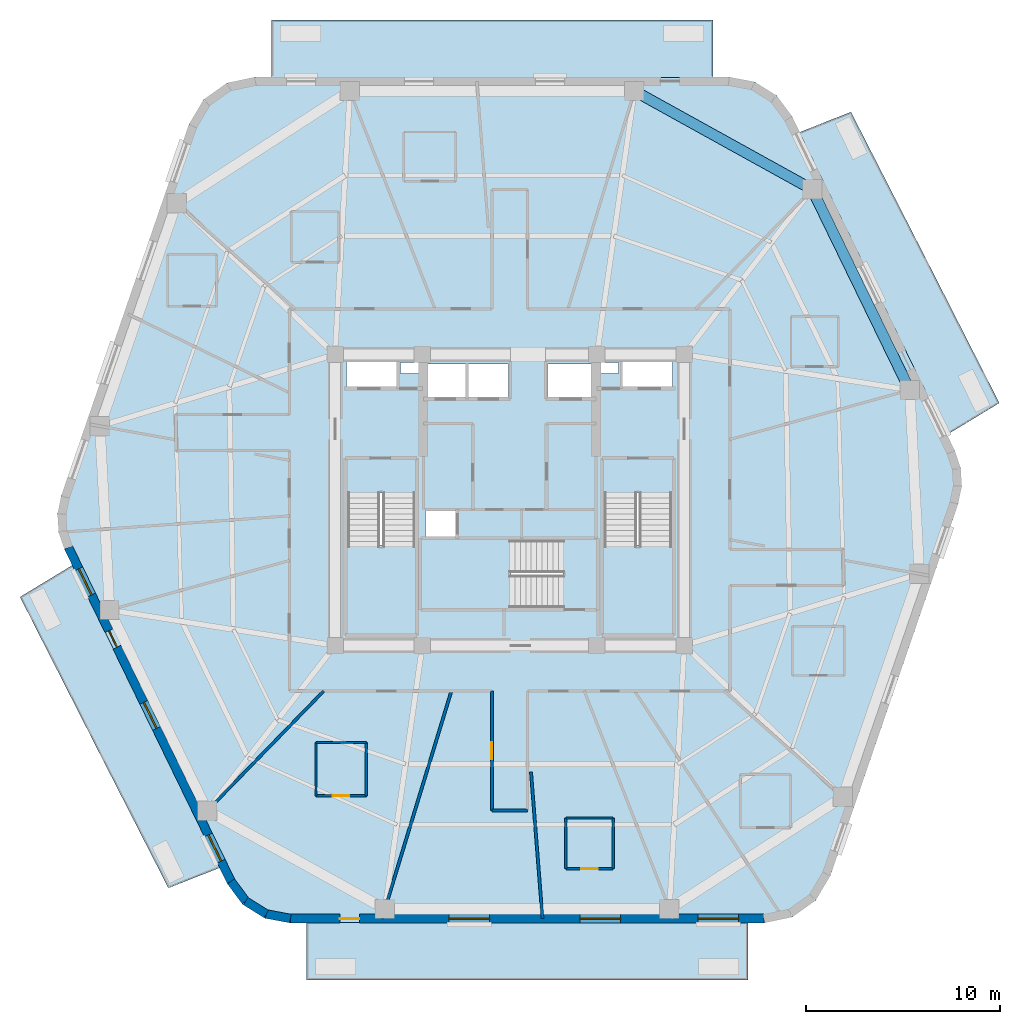
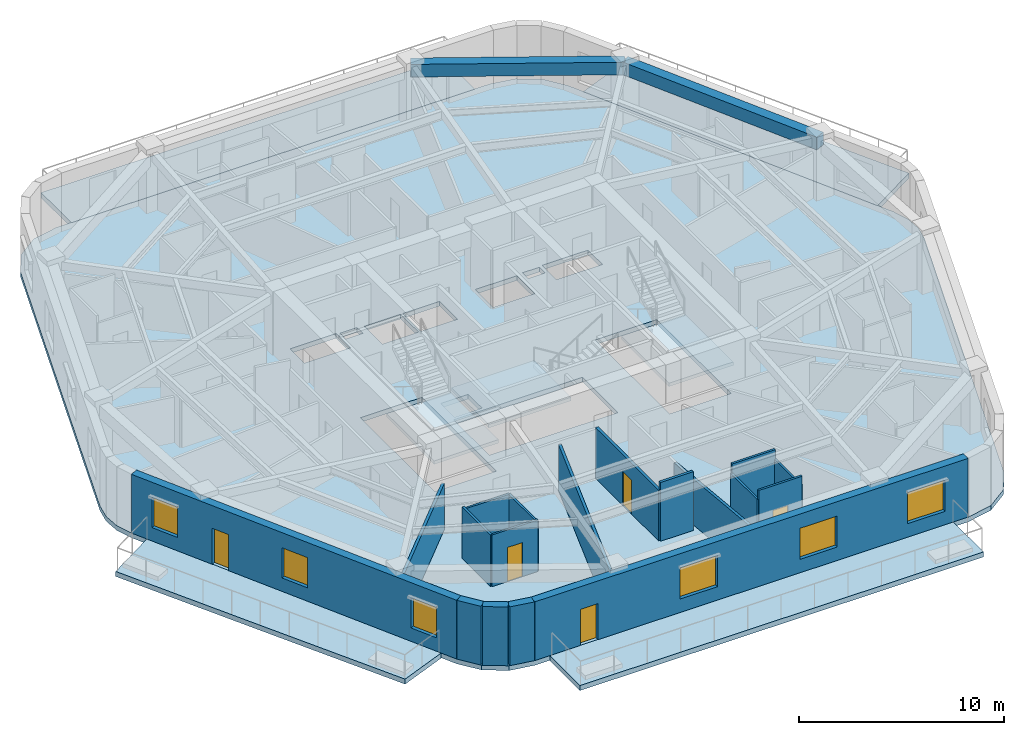
# One storey, part 2 of 10: 18 walls, 8 slabs, 6 windows, 5 doors, 2 beams, 11 openings, 3 elements without a shape of their own.
"""IFC4 building model written with IfcOpenShell, lengths in metres."""

import ifcopenshell
import ifcopenshell.guid

model = None  # the IFC model being written
_history = None  # IfcOwnerHistory: only IFC2X3 demands one
_inside = {}  # id of a spatial element -> (the spatial element, [elements in it])
_under = {}  # id of a project, library or spatial element -> (it, [spatial elements below it])
_declared = {}  # id of a project -> (the project, [libraries it declares])
_typed = {}  # id of a type object -> (the type object, [elements of that type])
_made_of = {}  # id of a material, layer set ... -> (it, [elements and type objects made of it])


def new_model(schema):
    """Start an empty IFC model of exactly this schema.

    Asked for "IFC4X3", IfcOpenShell would pick the latest addendum, in which some entities
    have other attributes; the version numbers below select the first issue.
    IFC2X3 requires an IfcOwnerHistory on every rooted entity: one is made here for all.
    """
    global model, _history
    if schema == "IFC4X3":
        model = ifcopenshell.file(schema_version=(4, 3, 0, 0))
    else:
        model = ifcopenshell.file(schema=schema)
    _inside.clear()
    _under.clear()
    _declared.clear()
    _typed.clear()
    _made_of.clear()
    _history = None
    if model.schema == "IFC2X3":
        org = make("IfcOrganization", Name="unknown")
        user = make(
            "IfcPersonAndOrganization",
            ThePerson=make("IfcPerson", FamilyName="unknown"),
            TheOrganization=org,
        )
        app = make(
            "IfcApplication",
            ApplicationDeveloper=org,
            Version="unknown",
            ApplicationFullName="unknown",
            ApplicationIdentifier="unknown",
        )
        _history = make(
            "IfcOwnerHistory",
            OwningUser=user,
            OwningApplication=app,
            ChangeAction="ADDED",
            CreationDate=0,
        )
    return model


def make(cls, **values):
    """One entity of the class cls with the attributes given. An attribute that is None is left unset."""
    return model.create_entity(
        cls, **{name: value for name, value in values.items() if value is not None}
    )


def rooted(cls, **values):
    """An entity with a GlobalId (a new one), such as an element, a storey or a relation."""
    return make(cls, GlobalId=ifcopenshell.guid.new(), OwnerHistory=_history, **values)


def si_unit(unit_type, name, prefix=None):
    """IfcSIUnit, for example si_unit("LENGTHUNIT", "METRE", prefix="MILLI")."""
    return make("IfcSIUnit", UnitType=unit_type, Prefix=prefix, Name=name)


def assignment(units):
    """IfcUnitAssignment: the units of a project."""
    return None if units is None else make("IfcUnitAssignment", Units=units)


def point(xyz):
    """IfcCartesianPoint."""
    return None if xyz is None else make("IfcCartesianPoint", Coordinates=xyz)


def direction(xyz):
    """IfcDirection."""
    return None if xyz is None else make("IfcDirection", DirectionRatios=xyz)


def frame(location, z_axis=None, x_axis=None):
    """IfcAxis2Placement3D, a coordinate frame: its origin and axes. An axis left out is left unset."""
    return make(
        "IfcAxis2Placement3D",
        Location=point(location),
        Axis=direction(z_axis),
        RefDirection=direction(x_axis),
    )


def frame_2d(location, x_axis=None):
    """IfcAxis2Placement2D, a coordinate frame in the plane: its origin and x axis."""
    return make(
        "IfcAxis2Placement2D", Location=point(location), RefDirection=direction(x_axis)
    )


def origin():
    """The frame at (0, 0, 0) with its axes left unset."""
    return frame((0.0, 0.0, 0.0))


def origin_2d():
    """The frame at (0, 0) in the plane with its x axis left unset."""
    return frame_2d((0.0, 0.0))


def place(relative_to, where):
    """IfcLocalPlacement: puts the frame where relative to a parent placement (None: the world)."""
    return make(
        "IfcLocalPlacement", PlacementRelTo=relative_to, RelativePlacement=where
    )


def context(
    kind, dimensions, precision=None, world=None, true_north=None, identifier=None
):
    """IfcGeometricRepresentationContext, for example the 3D "Model" context."""
    return make(
        "IfcGeometricRepresentationContext",
        ContextIdentifier=identifier,
        ContextType=kind,
        CoordinateSpaceDimension=dimensions,
        Precision=precision,
        WorldCoordinateSystem=world,
        TrueNorth=true_north,
    )


def subcontext(parent, identifier, kind, view, scale=None):
    """IfcGeometricRepresentationSubContext, for example "Body" below "Model"."""
    return make(
        "IfcGeometricRepresentationSubContext",
        ContextIdentifier=identifier,
        ContextType=kind,
        ParentContext=parent,
        TargetScale=scale,
        TargetView=view,
    )


def project(units=None, contexts=None):
    """IfcProject with its units and contexts."""
    return rooted(
        "IfcProject",
        Name="project",
        RepresentationContexts=contexts,
        UnitsInContext=assignment(units),
    )


def spatial(cls, under=None, at=None, **own):
    """A site, building, storey or space (cls), placed at a placement, below another one or the project."""
    s = rooted(cls, ObjectPlacement=at, **own)
    if under is not None:
        _under.setdefault(under.id(), (under, []))[1].append(s)
    return s


def polyline(points):
    """IfcPolyline through the points."""
    return make("IfcPolyline", Points=[point(p) for p in points])


def profile(cls, at=None, kind="AREA", **sizes):
    """A parametric profile (cls). Its sizes go by their IFC names, for example OverallWidth=200.0."""
    return make(cls, ProfileType=kind, Position=at, **sizes)


def rectangle(**sizes):
    """IfcRectangleProfileDef."""
    return profile("IfcRectangleProfileDef", **sizes)


def outline(outer, holes=None, kind="AREA"):
    """IfcArbitraryClosedProfileDef: a profile drawn as a closed curve; with holes, ...WithVoids."""
    if holes is None:
        return make("IfcArbitraryClosedProfileDef", ProfileType=kind, OuterCurve=outer)
    return make(
        "IfcArbitraryProfileDefWithVoids",
        ProfileType=kind,
        OuterCurve=outer,
        InnerCurves=holes,
    )


def extrude(swept, where, along, depth):
    """IfcExtrudedAreaSolid: the profile swept, set in the frame where, extruded along a direction by depth."""
    return make(
        "IfcExtrudedAreaSolid",
        SweptArea=swept,
        Position=where,
        ExtrudedDirection=direction(along),
        Depth=depth,
    )


def shape(context_of_items, identifier, shape_type, items):
    """IfcShapeRepresentation: the items that make up one representation, for example the "Body"."""
    return make(
        "IfcShapeRepresentation",
        ContextOfItems=context_of_items,
        RepresentationIdentifier=identifier,
        RepresentationType=shape_type,
        Items=items,
    )


def material(Name=None, Category=None):
    """IfcMaterial."""
    return make("IfcMaterial", Name=Name, Category=Category)


def layer(
    of_material, thickness, ventilated=None, Name=None, Category=None, Priority=None
):
    """IfcMaterialLayer: one layer of a wall or slab, of a material (None: an air gap)."""
    return make(
        "IfcMaterialLayer",
        Material=of_material,
        LayerThickness=thickness,
        IsVentilated=ventilated,
        Name=Name,
        Category=Category,
        Priority=Priority,
    )


def layer_set(layers, Name=None):
    """IfcMaterialLayerSet."""
    return make("IfcMaterialLayerSet", MaterialLayers=layers, LayerSetName=Name)


def material_profile(
    of_material, cross_section, Name=None, Category=None, Priority=None
):
    """IfcMaterialProfile: a cross section and its material."""
    return make(
        "IfcMaterialProfile",
        Name=Name,
        Material=of_material,
        Profile=cross_section,
        Priority=Priority,
        Category=Category,
    )


def profile_set(profiles, Name=None, composite=None):
    """IfcMaterialProfileSet."""
    return make(
        "IfcMaterialProfileSet",
        Name=Name,
        MaterialProfiles=profiles,
        CompositeProfile=composite,
    )


def made_of(thing, what):
    """Note that an element or type object is made of a material, layer set ...; save() writes the relation."""
    if what is not None:
        _made_of.setdefault(what.id(), (what, []))[1].append(thing)
    return thing


def type_object(cls, material=None, **own):
    """A type object (cls), such as IfcWallType, which elements share."""
    return made_of(rooted(cls, **own), material)


def element(
    cls,
    number,
    at=None,
    inside=None,
    cuts=None,
    type_object=None,
    material=None,
    context=None,
    identifier="Body",
    shape_type=None,
    held_by="IfcProductDefinitionShape",
    body=None,
    shapes=None,
    **own,
):
    """One element of the class cls, such as IfcWall. Its Tag is "e" and its number.

    at: its placement. inside: the storey or other place that contains it. cuts: it is an
    opening in that element (IfcRelVoidsElement). A single representation is given by context,
    identifier, shape_type and body (its items); several are given by shapes. held_by: the class
    of the entity that holds the representations. save() writes the other relations.
    """
    e = rooted(cls, Tag="e%d" % number, ObjectPlacement=at, **own)
    if body is not None:
        shapes = [shape(context, identifier, shape_type, body)]
    if shapes is not None:
        e.Representation = make(held_by, Representations=shapes)
    if inside is not None:
        _inside.setdefault(inside.id(), (inside, []))[1].append(e)
    if cuts is not None:
        rooted(
            "IfcRelVoidsElement", RelatingBuildingElement=cuts, RelatedOpeningElement=e
        )
    if type_object is not None:
        _typed.setdefault(type_object.id(), (type_object, []))[1].append(e)
    return made_of(e, material)


def fill(opening, filler):
    """IfcRelFillsElement: the door or window that sits in an opening."""
    return rooted(
        "IfcRelFillsElement",
        RelatingOpeningElement=opening,
        RelatedBuildingElement=filler,
    )


def aggregate(whole, parts):
    """IfcRelAggregates: a whole, such as a stair, and the parts it consists of."""
    return rooted("IfcRelAggregates", RelatingObject=whole, RelatedObjects=parts)


def save(model, path):
    """Write the relations noted so far, then the file.

    IfcRelAggregates (storeys below a building ...), IfcRelContainedInSpatialStructure (elements
    in a storey), IfcRelDefinesByType, IfcRelAssociatesMaterial and IfcRelDeclares: one each for
    every whole, place, type object, material and project.
    """
    for whole, parts in _under.values():
        aggregate(whole, parts)
    for where, things in _inside.values():
        rooted(
            "IfcRelContainedInSpatialStructure",
            RelatedElements=things,
            RelatingStructure=where,
        )
    for kind, things in _typed.values():
        rooted("IfcRelDefinesByType", RelatedObjects=things, RelatingType=kind)
    for what, things in _made_of.values():
        rooted("IfcRelAssociatesMaterial", RelatedObjects=things, RelatingMaterial=what)
    for by, libraries in _declared.values():
        rooted("IfcRelDeclares", RelatingContext=by, RelatedDefinitions=libraries)
    model.write(path)


model = new_model("IFC4")

# Units and contexts
model_context = context("Model", 3, precision=1e-05, world=origin(), true_north=direction((0.0, 1.0)))
body_context = subcontext(model_context, "Body", "Model", "MODEL_VIEW")
ifc_project = project(units=[si_unit("LENGTHUNIT", "METRE"), si_unit("AREAUNIT", "SQUARE_METRE"), si_unit("VOLUMEUNIT", "CUBIC_METRE"), si_unit("PLANEANGLEUNIT", "RADIAN"), si_unit("MASSUNIT", "GRAM", prefix="KILO")], contexts=[model_context])

# Site, building, storey
site_placement = place(None, origin())
site = spatial("IfcSite", under=ifc_project, at=site_placement, CompositionType="ELEMENT")
building_placement = place(site_placement, origin())
building = spatial("IfcBuilding", under=site, at=building_placement, Name="Kilnhurst Terrace Hotel", CompositionType="ELEMENT")
storey_placement = place(building_placement, frame((0.0, 0.0, 214.10009765625)))
storey = spatial("IfcBuildingStorey", under=building, at=storey_placement, Name="L53", CompositionType="ELEMENT", Elevation=214.10009765625)

# Beams
ifc_material_1 = material(Name="Concrete C50/60", Category="concrete")
ifc_material_profile = material_profile(ifc_material_1, rectangle(XDim=0.550048828125, YDim=0.75, at=origin_2d()), Name="RC550X750")
ifc_profile_set = profile_set([ifc_material_profile], Name="Concrete C50/60")
beam_type = type_object("IfcBeamType", Name="BM-SPN-550X750", PredefinedType="SPANDREL", material=ifc_profile_set)
beam_1_placement = place(storey_placement, frame((20.6220703125, 5.669921875, 3.125), z_axis=(-0.437705964683, 0.899118172701, 0.0), x_axis=(-0.899118172701, -0.437705964683, 0.0)))
element("IfcBeam", 1, at=beam_1_placement, inside=storey, type_object=beam_type, Name="L53 Perimeter Spandrel Beam 5", PredefinedType="SPANDREL", context=body_context, shape_type="SweptSolid", body=[
    extrude(rectangle(XDim=0.550048828125, YDim=0.75, at=origin_2d()), origin(), (0.0, 0.0, 1.0), 11.50341796875),
])
beam_2_placement = place(storey_placement, frame((15.5869140625, 16.012939453125, 3.125), z_axis=(-0.874970333121, 0.484176534085, 0.0), x_axis=(-0.484176534085, -0.874970333121, 0.0)))
element("IfcBeam", 2, at=beam_2_placement, inside=storey, type_object=beam_type, Name="L53 Perimeter Spandrel Beam 6", PredefinedType="SPANDREL", context=body_context, shape_type="SweptSolid", body=[
    extrude(rectangle(XDim=0.550048828125, YDim=0.75, at=origin_2d()), origin(), (0.0, 0.0, 1.0), 10.465576171875),
])

# Slabs
ifc_layer_1 = layer(ifc_material_1, 0.300048828125, Name="Concrete C50/60")
ifc_layer_set_1 = layer_set([ifc_layer_1], Name="Concrete C50/60")
slab_type_1 = type_object("IfcSlabType", Name="SLB-BAL-300", PredefinedType="FLOOR", material=ifc_layer_set_1)
slab_1_placement = place(storey_placement, frame((0.0, 0.0, -0.300048828125)))
element("IfcSlab", 3, at=slab_1_placement, inside=storey, type_object=slab_type_1, Name="L53 Cantilevered Planted Terrace Slab BAL-L1A", PredefinedType="FLOOR", context=body_context, shape_type="SweptSolid", body=[
    extrude(outline(polyline([(21.440185546875, 12.465576171875), (25.237548828125, 5.0), (22.527587890625, 3.356201171875), (14.93505859375, 18.95068359375), (17.5888671875, 20.0), (21.440185546875, 12.465576171875)])), origin(), (0.0, 0.0, 1.0), 0.300048828125),
])
slab_2_placement = place(storey_placement, frame((0.0, 0.0, -0.300048828125)))
element("IfcSlab", 4, at=slab_2_placement, inside=storey, type_object=slab_type_1, Name="L53 Cantilevered Planted Terrace Slab BAL-L1B", PredefinedType="FLOOR", context=body_context, shape_type="SweptSolid", body=[
    extrude(outline(polyline([(-12.27490234375, 21.780029296875), (-12.27490234375, 24.739990234375), (10.46875, 24.739990234375), (10.46875, 21.780029296875), (-12.27490234375, 21.780029296875)])), origin(), (0.0, 0.0, 1.0), 0.300048828125),
])
slab_3_placement = place(storey_placement, frame((0.0, 0.0, -0.300048828125)))
element("IfcSlab", 5, at=slab_3_placement, inside=storey, type_object=slab_type_1, Name="L53 Cantilevered Planted Terrace Slab BAL-L2A", PredefinedType="FLOOR", context=body_context, shape_type="SweptSolid", body=[
    extrude(outline(polyline([(-25.237548828125, -5.0), (-22.527587890625, -3.356201171875), (-14.93505859375, -18.95068359375), (-17.5888671875, -20.0), (-21.440185546875, -12.465576171875), (-25.237548828125, -5.0)])), origin(), (0.0, 0.0, 1.0), 0.300048828125),
])
slab_4_placement = place(storey_placement, frame((0.0, 0.0, -0.300048828125)))
element("IfcSlab", 6, at=slab_4_placement, inside=storey, type_object=slab_type_1, Name="L53 Cantilevered Planted Terrace Slab BAL-L2B", PredefinedType="FLOOR", context=body_context, shape_type="SweptSolid", body=[
    extrude(outline(polyline([(12.27490234375, -21.780029296875), (12.27490234375, -24.739990234375), (-10.46875, -24.739990234375), (-10.46875, -21.780029296875), (12.27490234375, -21.780029296875)])), origin(), (0.0, 0.0, 1.0), 0.300048828125),
])
ifc_layer_2 = layer(ifc_material_1, 0.280029296875, Name="Concrete C50/60")
ifc_layer_set_2 = layer_set([ifc_layer_2], Name="Concrete C50/60")
slab_type_2 = type_object("IfcSlabType", Name="SLB-FLR-280", PredefinedType="FLOOR", material=ifc_layer_set_2)
slab_5_placement = place(storey_placement, frame((0.0, 0.0, -0.280029296875)))
element("IfcSlab", 7, at=slab_5_placement, inside=storey, type_object=slab_type_2, Name="L53 Structural Floor Slab", PredefinedType="FLOOR", context=body_context, shape_type="SweptSolid", body=[
    extrude(outline(polyline([(-14.555419921875, -19.77587890625), (-13.759765625, -20.845947265625), (-12.629150390625, -21.552978515625), (-11.318603515625, -21.800048828125), (13.124755859375, -21.800048828125), (14.5703125, -21.4970703125), (15.772705078125, -20.638916015625), (16.529296875, -19.370361328125), (23.1162109375, -0.208740234375), (23.302978515625, 0.710693359375), (23.24560546875, 1.6474609375), (22.948486328125, 2.537353515625), (14.555419921875, 19.77587890625), (13.759765625, 20.845947265625), (12.629150390625, 21.552978515625), (11.318603515625, 21.800048828125), (-13.124755859375, 21.800048828125), (-14.5703125, 21.4970703125), (-15.772705078125, 20.638916015625), (-16.529296875, 19.370361328125), (-23.1162109375, 0.208740234375), (-23.302978515625, -0.710693359375), (-23.24560546875, -1.6474609375), (-22.948486328125, -2.537353515625), (-14.555419921875, -19.77587890625)]), holes=[polyline([(-8.35009765625, 0.35498046875), (-4.8798828125, 0.35498046875), (-4.8798828125, -6.89990234375), (-8.35009765625, -6.89990234375), (-8.35009765625, 0.35498046875)]), polyline([(-2.800048828125, -1.89990234375), (-4.35009765625, -1.89990234375), (-4.35009765625, -0.550048828125), (-2.800048828125, -0.550048828125), (-2.800048828125, -1.89990234375)]), polyline([(-2.25, 5.25), (-4.300048828125, 5.25), (-4.300048828125, 7.0), (-2.25, 7.0), (-2.25, 5.25)]), polyline([(-2.1201171875, 5.25), (-2.1201171875, 7.0), (-0.050048828125, 7.0), (-0.050048828125, 5.25), (-2.1201171875, 5.25)]), polyline([(-8.39990234375, 5.75), (-8.39990234375, 7.14990234375), (-5.800048828125, 7.14990234375), (-5.800048828125, 5.75), (-8.39990234375, 5.75)]), polyline([(-4.659912109375, 6.52001953125), (-5.6201171875, 6.52001953125), (-5.6201171875, 7.080078125), (-4.659912109375, 7.080078125), (-4.659912109375, 6.52001953125)]), polyline([(2.7548828125, -5.550048828125), (-4.5, -5.550048828125), (-4.5, -2.080078125), (2.7548828125, -2.080078125), (2.7548828125, -5.550048828125)]), polyline([(8.35009765625, 0.35498046875), (8.35009765625, -6.89990234375), (4.8798828125, -6.89990234375), (4.8798828125, 0.35498046875), (8.35009765625, 0.35498046875)]), polyline([(4.300048828125, 5.25), (1.949951171875, 5.25), (1.949951171875, 7.0), (4.300048828125, 7.0), (4.300048828125, 5.25)]), polyline([(5.800048828125, 5.75), (5.800048828125, 7.14990234375), (8.39990234375, 7.14990234375), (8.39990234375, 5.75), (5.800048828125, 5.75)]), polyline([(4.659912109375, 6.52001953125), (4.659912109375, 7.080078125), (5.6201171875, 7.080078125), (5.6201171875, 6.52001953125), (4.659912109375, 6.52001953125)])]), origin(), (0.0, 0.0, 1.0), 0.280029296875),
])

# Stair, slab
stair_type = type_object("IfcStairType", Name="STR-CORE-1660", PredefinedType="HALF_TURN_STAIR", material=ifc_material_1)
stair_1_placement = place(storey_placement, origin())
stair_1 = element("IfcStair", 8, at=stair_1_placement, inside=storey, type_object=stair_type, Name="L53 ST-1", PredefinedType="HALF_TURN_STAIR")
ifc_layer_3 = layer(ifc_material_1, 0.199951171875, Name="Concrete C50/60")
ifc_layer_set_3 = layer_set([ifc_layer_3], Name="Concrete C50/60")
slab_type_3 = type_object("IfcSlabType", Name="SLB-ST-LND-200", PredefinedType="LANDING", material=ifc_layer_set_3)
slab_6_placement = place(storey_placement, frame((0.0, 0.0, 1.699951171875)))
slab_6 = element("IfcSlab", 9, at=slab_6_placement, type_object=slab_type_3, Name="ST-1 landing 1", PredefinedType="LANDING", context=body_context, shape_type="SweptSolid", body=[
    extrude(outline(polyline([(-8.429931640625, -2.330078125), (-4.800048828125, -2.330078125), (-4.800048828125, -6.97998046875), (-8.429931640625, -6.97998046875), (-8.429931640625, -2.330078125)])), origin(), (0.0, 0.0, 1.0), 0.199951171875),
])
aggregate(stair_1, [slab_6])

stair_2_placement = place(storey_placement, origin())
stair_2 = element("IfcStair", 10, at=stair_2_placement, inside=storey, type_object=stair_type, Name="L53 ST-2", PredefinedType="HALF_TURN_STAIR")
slab_7_placement = place(storey_placement, frame((0.0, 0.0, 1.699951171875)))
slab_7 = element("IfcSlab", 11, at=slab_7_placement, type_object=slab_type_3, Name="ST-2 landing 1", PredefinedType="LANDING", context=body_context, shape_type="SweptSolid", body=[
    extrude(outline(polyline([(4.800048828125, -2.330078125), (8.429931640625, -2.330078125), (8.429931640625, -6.97998046875), (4.800048828125, -6.97998046875), (4.800048828125, -2.330078125)])), origin(), (0.0, 0.0, 1.0), 0.199951171875),
])
aggregate(stair_2, [slab_7])

stair_3_placement = place(storey_placement, origin())
stair_3 = element("IfcStair", 12, at=stair_3_placement, inside=storey, type_object=stair_type, Name="L53 ST-3", PredefinedType="HALF_TURN_STAIR")
slab_8_placement = place(storey_placement, frame((0.0, 0.0, 1.699951171875)))
slab_8 = element("IfcSlab", 13, at=slab_8_placement, type_object=slab_type_3, Name="ST-3 landing 1", PredefinedType="LANDING", context=body_context, shape_type="SweptSolid", body=[
    extrude(outline(polyline([(0.070068359375, -2.0), (0.070068359375, -5.6298828125), (-4.580078125, -5.6298828125), (-4.580078125, -2.0), (0.070068359375, -2.0)])), origin(), (0.0, 0.0, 1.0), 0.199951171875),
])
aggregate(stair_3, [slab_8])

# Walls
ifc_material_2 = material(Name="Precast concrete C40/50", Category="concrete")
ifc_layer_4 = layer(ifc_material_2, 0.449951171875, Name="Precast concrete C40/50")
ifc_layer_set_4 = layer_set([ifc_layer_4], Name="Precast concrete C40/50")
wall_type_1 = type_object("IfcWallType", Name="WL-BRK-450", PredefinedType="SOLIDWALL", material=ifc_layer_set_4)
wall_1_placement = place(storey_placement, frame((-14.3623046875, -19.658447265625, 0.0), z_axis=(0.0, 0.0, 1.0), x_axis=(0.596642462792, -0.80250717853, 0.0)))
element("IfcWall", 14, at=wall_1_placement, inside=storey, type_object=wall_type_1, Name="L53 Rounded Corner Brick Wall C1.1", PredefinedType="SOLIDWALL", context=body_context, shape_type="SweptSolid", body=[
    extrude(rectangle(XDim=1.27001953125, YDim=0.449951171875, at=frame_2d((0.635009765625, 0.0))), origin(), (0.0, 0.0, 1.0), 3.5),
])
wall_2_placement = place(storey_placement, frame((-13.6044921875, -20.677734375, 0.0), z_axis=(0.0, 0.0, 1.0), x_axis=(0.847910404124, -0.53013955387, 0.0)))
element("IfcWall", 15, at=wall_2_placement, inside=storey, type_object=wall_type_1, Name="L53 Rounded Corner Brick Wall C1.2", PredefinedType="SOLIDWALL", context=body_context, shape_type="SweptSolid", body=[
    extrude(rectangle(XDim=1.24853515625, YDim=0.449951171875, at=frame_2d((0.624267578125, 0.0))), origin(), (0.0, 0.0, 1.0), 3.5),
])
wall_3_placement = place(storey_placement, frame((-12.5458984375, -21.339599609375, 0.0), z_axis=(0.0, 0.0, 1.0), x_axis=(0.982686750835, -0.18527479519, 0.0)))
element("IfcWall", 16, at=wall_3_placement, inside=storey, type_object=wall_type_1, Name="L53 Rounded Corner Brick Wall C1.3", PredefinedType="SOLIDWALL", context=body_context, shape_type="SweptSolid", body=[
    extrude(rectangle(XDim=1.270263671875, YDim=0.449951171875, at=frame_2d((0.63525390625, 0.0))), origin(), (0.0, 0.0, 1.0), 3.5),
])

# Wall, openings, door, windows
wall_4_placement = place(storey_placement, frame((-11.297607421875, -21.574951171875, 0.0), z_axis=(0.0, 0.0, 1.0), x_axis=(1.0, 0.0, 0.0)))
wall_4 = element("IfcWall", 17, at=wall_4_placement, inside=storey, type_object=wall_type_1, Name="L53 Exterior Brick Facade Wall F1", PredefinedType="SOLIDWALL", context=body_context, shape_type="SweptSolid", body=[
    extrude(rectangle(XDim=24.399169921875, YDim=0.449951171875, at=frame_2d((12.19970703125, 0.0))), origin(), (0.0, 0.0, 1.0), 3.5),
])
opening_1_placement = place(wall_4_placement, frame((2.550048828125, 0.0, 0.0)))
opening_1 = element("IfcOpeningElement", 18, at=opening_1_placement, cuts=wall_4, Name="Opening BD-1000", PredefinedType="OPENING", context=body_context, shape_type="SweptSolid", body=[
    extrude(rectangle(XDim=1.0, YDim=2.14990234375, at=frame_2d((0.5, 1.074951171875))), frame((0.0, 0.23486328125, 0.0), z_axis=(0.0, -1.0, 0.0), x_axis=(1.0, 0.0, 0.0)), (0.0, 0.0, 1.0), 0.469970703125),
])
opening_2_placement = place(wall_4_placement, frame((8.1689453125, 0.0, 0.800048828125)))
opening_2 = element("IfcOpeningElement", 19, at=opening_2_placement, cuts=wall_4, Name="Opening W-04", PredefinedType="OPENING", context=body_context, shape_type="SweptSolid", body=[
    extrude(rectangle(XDim=2.10009765625, YDim=1.85009765625, at=frame_2d((1.050048828125, 0.925048828125))), frame((0.0, 0.23486328125, 0.0), z_axis=(0.0, -1.0, 0.0), x_axis=(1.0, 0.0, 0.0)), (0.0, 0.0, 1.0), 0.469970703125),
])
opening_3_placement = place(wall_4_placement, frame((14.922119140625, 0.0, 0.800048828125)))
opening_3 = element("IfcOpeningElement", 20, at=opening_3_placement, cuts=wall_4, Name="Opening W-04", PredefinedType="OPENING", context=body_context, shape_type="SweptSolid", body=[
    extrude(rectangle(XDim=2.10009765625, YDim=1.85009765625, at=frame_2d((1.050048828125, 0.925048828125))), frame((0.0, 0.23486328125, 0.0), z_axis=(0.0, -1.0, 0.0), x_axis=(1.0, 0.0, 0.0)), (0.0, 0.0, 1.0), 0.469970703125),
])
opening_4_placement = place(wall_4_placement, frame((20.99609375, 0.0, 0.800048828125)))
opening_4 = element("IfcOpeningElement", 21, at=opening_4_placement, cuts=wall_4, Name="Opening W-04", PredefinedType="OPENING", context=body_context, shape_type="SweptSolid", body=[
    extrude(rectangle(XDim=2.10009765625, YDim=1.85009765625, at=frame_2d((1.050048828125, 0.925048828125))), frame((0.0, 0.23486328125, 0.0), z_axis=(0.0, -1.0, 0.0), x_axis=(1.0, 0.0, 0.0)), (0.0, 0.0, 1.0), 0.469970703125),
])
ifc_material_3 = material(Name="Thermally Broken Bronze Aluminium Alloy 6063-T6 and Laminated Glass", Category="aluminium")
door_type_1 = type_object("IfcDoorType", Name="DR-EXT-BAL-1000", OperationType="NOTDEFINED", PredefinedType="DOOR", material=ifc_material_3)
door_1_placement = place(opening_1_placement, origin())
door_1 = element("IfcDoor", 22, at=door_1_placement, inside=storey, type_object=door_type_1, Name="L53 Planted Balcony Door BAL-L2B", OperationType="SINGLE_SWING_LEFT", OverallHeight=2.14990234375, OverallWidth=1.0, PredefinedType="DOOR", context=body_context, shape_type="SweptSolid", body=[
    extrude(rectangle(XDim=1.0, YDim=2.14990234375, at=frame_2d((0.5, 1.074951171875))), frame((0.0, 0.02490234375, 0.0), z_axis=(0.0, -1.0, 0.0), x_axis=(1.0, 0.0, 0.0)), (0.0, 0.0, 1.0), 0.050048828125),
])
fill(opening_1, door_1)
ifc_material_4 = material(Name="Thermally Broken Bronze Aluminium Alloy 6063-T6 and Low-E Glass", Category="aluminium")
window_type_1 = type_object("IfcWindowType", Name="WIN-2100X1850", PartitioningType="SINGLE_PANEL", PredefinedType="WINDOW", material=ifc_material_4)
window_1_placement = place(opening_2_placement, origin())
window_1 = element("IfcWindow", 23, at=window_1_placement, inside=storey, type_object=window_type_1, Name="L53 Deep-Set Masonry Window F1.1", OverallHeight=1.85009765625, OverallWidth=2.10009765625, PartitioningType="SINGLE_PANEL", PredefinedType="WINDOW", context=body_context, shape_type="SweptSolid", body=[
    extrude(rectangle(XDim=2.10009765625, YDim=1.85009765625, at=frame_2d((1.050048828125, 0.925048828125))), frame((0.0, 0.030029296875, 0.0), z_axis=(0.0, -1.0, 0.0), x_axis=(1.0, 0.0, 0.0)), (0.0, 0.0, 1.0), 0.06005859375),
])
fill(opening_2, window_1)
window_2_placement = place(opening_3_placement, origin())
window_2 = element("IfcWindow", 24, at=window_2_placement, inside=storey, type_object=window_type_1, Name="L53 Deep-Set Masonry Window F1.2", OverallHeight=1.85009765625, OverallWidth=2.10009765625, PartitioningType="SINGLE_PANEL", PredefinedType="WINDOW", context=body_context, shape_type="SweptSolid", body=[
    extrude(rectangle(XDim=2.10009765625, YDim=1.85009765625, at=frame_2d((1.050048828125, 0.925048828125))), frame((0.0, 0.030029296875, 0.0), z_axis=(0.0, -1.0, 0.0), x_axis=(1.0, 0.0, 0.0)), (0.0, 0.0, 1.0), 0.06005859375),
])
fill(opening_3, window_2)
window_3_placement = place(opening_4_placement, origin())
window_3 = element("IfcWindow", 25, at=window_3_placement, inside=storey, type_object=window_type_1, Name="L53 Deep-Set Masonry Window F1.3", OverallHeight=1.85009765625, OverallWidth=2.10009765625, PartitioningType="SINGLE_PANEL", PredefinedType="WINDOW", context=body_context, shape_type="SweptSolid", body=[
    extrude(rectangle(XDim=2.10009765625, YDim=1.85009765625, at=frame_2d((1.050048828125, 0.925048828125))), frame((0.0, 0.030029296875, 0.0), z_axis=(0.0, -1.0, 0.0), x_axis=(1.0, 0.0, 0.0)), (0.0, 0.0, 1.0), 0.06005859375),
])
fill(opening_4, window_3)

wall_5_placement = place(storey_placement, frame((-22.73974609375, -2.4521484375, 0.0), z_axis=(0.0, 0.0, 1.0), x_axis=(0.437753424814, -0.899095066755, 0.0)))
wall_5 = element("IfcWall", 26, at=wall_5_placement, inside=storey, type_object=wall_type_1, Name="L53 Exterior Brick Facade Wall F6", PredefinedType="SOLIDWALL", context=body_context, shape_type="SweptSolid", body=[
    extrude(rectangle(XDim=19.137451171875, YDim=0.449951171875, at=frame_2d((9.56884765625, 0.0))), origin(), (0.0, 0.0, 1.0), 3.5),
])
opening_5_placement = place(wall_5_placement, frame((4.762939453125, 0.0, 0.0)))
opening_5 = element("IfcOpeningElement", 27, at=opening_5_placement, cuts=wall_5, Name="Opening BD-950", PredefinedType="OPENING", context=body_context, shape_type="SweptSolid", body=[
    extrude(rectangle(XDim=0.949951171875, YDim=2.14990234375, at=frame_2d((0.47509765625, 1.074951171875))), frame((0.0, 0.23486328125, 0.0), z_axis=(0.0, -1.0, 0.0), x_axis=(1.0, 0.0, 0.0)), (0.0, 0.0, 1.0), 0.469970703125),
])
opening_6_placement = place(wall_5_placement, frame((1.216064453125, 0.0, 0.800048828125)))
opening_6 = element("IfcOpeningElement", 28, at=opening_6_placement, cuts=wall_5, Name="Opening W-02", PredefinedType="OPENING", context=body_context, shape_type="SweptSolid", body=[
    extrude(rectangle(XDim=1.5, YDim=1.800048828125, at=frame_2d((0.75, 0.89990234375))), frame((0.0, 0.23486328125, 0.0), z_axis=(0.0, -1.0, 0.0), x_axis=(1.0, 0.0, 0.0)), (0.0, 0.0, 1.0), 0.469970703125),
])
opening_7_placement = place(wall_5_placement, frame((8.8701171875, 0.0, 0.800048828125)))
opening_7 = element("IfcOpeningElement", 29, at=opening_7_placement, cuts=wall_5, Name="Opening W-02", PredefinedType="OPENING", context=body_context, shape_type="SweptSolid", body=[
    extrude(rectangle(XDim=1.5, YDim=1.800048828125, at=frame_2d((0.75, 0.89990234375))), frame((0.0, 0.23486328125, 0.0), z_axis=(0.0, -1.0, 0.0), x_axis=(1.0, 0.0, 0.0)), (0.0, 0.0, 1.0), 0.469970703125),
])
opening_8_placement = place(wall_5_placement, frame((16.472900390625, 0.0, 0.800048828125)))
opening_8 = element("IfcOpeningElement", 30, at=opening_8_placement, cuts=wall_5, Name="Opening W-02", PredefinedType="OPENING", context=body_context, shape_type="SweptSolid", body=[
    extrude(rectangle(XDim=1.5, YDim=1.800048828125, at=frame_2d((0.75, 0.89990234375))), frame((0.0, 0.23486328125, 0.0), z_axis=(0.0, -1.0, 0.0), x_axis=(1.0, 0.0, 0.0)), (0.0, 0.0, 1.0), 0.469970703125),
])
door_type_2 = type_object("IfcDoorType", Name="DR-EXT-BAL-950", OperationType="NOTDEFINED", PredefinedType="DOOR", material=ifc_material_3)
door_2_placement = place(opening_5_placement, origin())
door_2 = element("IfcDoor", 31, at=door_2_placement, inside=storey, type_object=door_type_2, Name="L53 Planted Balcony Door BAL-L2A", OperationType="SINGLE_SWING_RIGHT", OverallHeight=2.14990234375, OverallWidth=0.949951171875, PredefinedType="DOOR", context=body_context, shape_type="SweptSolid", body=[
    extrude(rectangle(XDim=0.949951171875, YDim=2.14990234375, at=frame_2d((0.47509765625, 1.074951171875))), frame((0.0, 0.02490234375, 0.0), z_axis=(0.0, -1.0, 0.0), x_axis=(1.0, 0.0, 0.0)), (0.0, 0.0, 1.0), 0.050048828125),
])
fill(opening_5, door_2)
window_type_2 = type_object("IfcWindowType", Name="WIN-1500X1800", PartitioningType="SINGLE_PANEL", PredefinedType="WINDOW", material=ifc_material_4)
window_4_placement = place(opening_6_placement, origin())
window_4 = element("IfcWindow", 32, at=window_4_placement, inside=storey, type_object=window_type_2, Name="L53 Deep-Set Masonry Window F6.1", OverallHeight=1.800048828125, OverallWidth=1.5, PartitioningType="SINGLE_PANEL", PredefinedType="WINDOW", context=body_context, shape_type="SweptSolid", body=[
    extrude(rectangle(XDim=1.5, YDim=1.800048828125, at=frame_2d((0.75, 0.89990234375))), frame((0.0, 0.030029296875, 0.0), z_axis=(0.0, -1.0, 0.0), x_axis=(1.0, 0.0, 0.0)), (0.0, 0.0, 1.0), 0.06005859375),
])
fill(opening_6, window_4)
window_5_placement = place(opening_7_placement, origin())
window_5 = element("IfcWindow", 33, at=window_5_placement, inside=storey, type_object=window_type_2, Name="L53 Deep-Set Masonry Window F6.2", OverallHeight=1.800048828125, OverallWidth=1.5, PartitioningType="SINGLE_PANEL", PredefinedType="WINDOW", context=body_context, shape_type="SweptSolid", body=[
    extrude(rectangle(XDim=1.5, YDim=1.800048828125, at=frame_2d((0.75, 0.89990234375))), frame((0.0, 0.030029296875, 0.0), z_axis=(0.0, -1.0, 0.0), x_axis=(1.0, 0.0, 0.0)), (0.0, 0.0, 1.0), 0.06005859375),
])
fill(opening_7, window_5)
window_6_placement = place(opening_8_placement, origin())
window_6 = element("IfcWindow", 34, at=window_6_placement, inside=storey, type_object=window_type_2, Name="L53 Deep-Set Masonry Window F6.3", OverallHeight=1.800048828125, OverallWidth=1.5, PartitioningType="SINGLE_PANEL", PredefinedType="WINDOW", context=body_context, shape_type="SweptSolid", body=[
    extrude(rectangle(XDim=1.5, YDim=1.800048828125, at=frame_2d((0.75, 0.89990234375))), frame((0.0, 0.030029296875, 0.0), z_axis=(0.0, -1.0, 0.0), x_axis=(1.0, 0.0, 0.0)), (0.0, 0.0, 1.0), 0.06005859375),
])
fill(opening_8, window_6)

# Wall
ifc_material_5 = material(Name="Acoustic Double-Gypsum Corridor Partition Assembly")
ifc_layer_5 = layer(ifc_material_5, 0.14990234375, Name="Acoustic Double-Gypsum Corridor Partition Assembly")
ifc_layer_set_5 = layer_set([ifc_layer_5], Name="Acoustic Double-Gypsum Corridor Partition Assembly")
wall_type_2 = type_object("IfcWallType", Name="WL-COR-150", PredefinedType="PARTITIONING", material=ifc_layer_set_5)
wall_6_placement = place(storey_placement, frame((0.919921875, -16.0, 0.0), z_axis=(0.0, 0.0, 1.0), x_axis=(-1.0, 0.0, 0.0)))
element("IfcWall", 35, at=wall_6_placement, inside=storey, type_object=wall_type_2, Name="L53 Interior Wall WL-L53-COR-18", PredefinedType="PARTITIONING", context=body_context, shape_type="SweptSolid", body=[
    extrude(rectangle(XDim=1.83984375, YDim=0.14990234375, at=frame_2d((0.919921875, 0.0))), origin(), (0.0, 0.0, 1.0), 3.5),
])

# Wall, opening, door
wall_7_placement = place(storey_placement, frame((-0.919921875, -16.0, 0.0), z_axis=(0.0, 0.0, 1.0), x_axis=(0.0, 1.0, 0.0)))
wall_7 = element("IfcWall", 36, at=wall_7_placement, inside=storey, type_object=wall_type_2, Name="L53 Interior Wall WL-L53-COR-19", PredefinedType="PARTITIONING", context=body_context, shape_type="SweptSolid", body=[
    extrude(rectangle(XDim=6.14990234375, YDim=0.14990234375, at=frame_2d((3.074951171875, 0.0))), origin(), (0.0, 0.0, 1.0), 3.0263671875),
])
opening_9_placement = place(wall_7_placement, frame((2.625, 0.0, 0.0)))
opening_9 = element("IfcOpeningElement", 37, at=opening_9_placement, cuts=wall_7, Name="Opening D-60C", PredefinedType="OPENING", context=body_context, shape_type="SweptSolid", body=[
    extrude(rectangle(XDim=0.89990234375, YDim=2.030029296875, at=frame_2d((0.449951171875, 1.01513671875))), frame((0.0, 0.0849609375, 0.0), z_axis=(0.0, -1.0, 0.0), x_axis=(1.0, 0.0, 0.0)), (0.0, 0.0, 1.0), 0.169921875),
])
ifc_material_6 = material(Name="Painted Solid-Core Service Fire Door")
door_type_3 = type_object("IfcDoorType", Name="DR-FD60-900", OperationType="NOTDEFINED", PredefinedType="DOOR", material=ifc_material_6)
door_3_placement = place(opening_9_placement, origin())
door_3 = element("IfcDoor", 38, at=door_3_placement, inside=storey, type_object=door_type_3, Name="L53 Wellness Consultation Room Door 12", OperationType="SINGLE_SWING_RIGHT", OverallHeight=2.030029296875, OverallWidth=0.89990234375, PredefinedType="DOOR", context=body_context, shape_type="SweptSolid", body=[
    extrude(rectangle(XDim=0.89990234375, YDim=2.030029296875, at=frame_2d((0.449951171875, 1.01513671875))), frame((0.0, 0.02490234375, 0.0), z_axis=(0.0, -1.0, 0.0), x_axis=(1.0, 0.0, 0.0)), (0.0, 0.0, 1.0), 0.050048828125),
])
fill(opening_9, door_3)

# Walls
ifc_material_7 = material(Name="STC-58 Acoustic Twin-Frame Guestroom Demising Partition")
ifc_layer_6 = layer(ifc_material_7, 0.14990234375, Name="STC-58 Acoustic Twin-Frame Guestroom Demising Partition")
ifc_layer_set_6 = layer_set([ifc_layer_6], Name="STC-58 Acoustic Twin-Frame Guestroom Demising Partition")
wall_type_3 = type_object("IfcWallType", Name="WL-DEM-150", PredefinedType="PARTITIONING", material=ifc_layer_set_6)
wall_8_placement = place(storey_placement, frame((-9.587890625, -9.85009765625, 0.0), z_axis=(0.0, 0.0, 1.0), x_axis=(-0.697519469595, -0.716565830567, 0.0)))
element("IfcWall", 39, at=wall_8_placement, inside=storey, type_object=wall_type_3, Name="L53 Interior Wall WL-L53-DEM-COL08-11-1", PredefinedType="PARTITIONING", context=body_context, shape_type="SweptSolid", body=[
    extrude(rectangle(XDim=9.12646484375, YDim=0.14990234375, at=frame_2d((4.563232421875, 0.0))), origin(), (0.0, 0.0, 1.0), 2.739990234375),
])
wall_9_placement = place(storey_placement, frame((-3.00439453125, -9.85009765625, 0.0), z_axis=(0.0, 0.0, 1.0), x_axis=(-0.291775760688, -0.956486751333, 0.0)))
element("IfcWall", 40, at=wall_9_placement, inside=storey, type_object=wall_type_3, Name="L53 Interior Wall WL-L53-DEM-COL09-12-1", PredefinedType="PARTITIONING", context=body_context, shape_type="SweptSolid", body=[
    extrude(rectangle(XDim=12.25830078125, YDim=0.14990234375, at=frame_2d((6.129150390625, 0.0))), origin(), (0.0, 0.0, 1.0), 2.739990234375),
])
wall_10_placement = place(storey_placement, frame((1.10009765625, -14.017578125, 0.0), z_axis=(0.0, 0.0, 1.0), x_axis=(0.078228275349, -0.996935472804, 0.0)))
element("IfcWall", 41, at=wall_10_placement, inside=storey, type_object=wall_type_3, Name="L53 Interior Wall WL-L53-DEM-MID09-13-1", PredefinedType="PARTITIONING", context=body_context, shape_type="SweptSolid", body=[
    extrude(rectangle(XDim=7.58056640625, YDim=0.14990234375, at=frame_2d((3.790283203125, 0.0))), origin(), (0.0, 0.0, 1.0), 2.739990234375),
])

# Wall, opening, door
ifc_material_8 = material(Name="120 mm Moisture-Resistant Tile-Backed Bathroom Partition")
ifc_layer_7 = layer(ifc_material_8, 0.1201171875, Name="120 mm Moisture-Resistant Tile-Backed Bathroom Partition")
ifc_layer_set_7 = layer_set([ifc_layer_7], Name="120 mm Moisture-Resistant Tile-Backed Bathroom Partition")
wall_type_4 = type_object("IfcWallType", Name="WL-PART-120", PredefinedType="PARTITIONING", material=ifc_layer_set_7)
wall_11_placement = place(storey_placement, frame((-9.98291015625, -15.2470703125, 0.0), z_axis=(0.0, 0.0, 1.0), x_axis=(1.0, 0.0, 0.0)))
wall_11 = element("IfcWall", 42, at=wall_11_placement, inside=storey, type_object=wall_type_4, Name="L53 Interior Wall WL-L53-BTH-11-1", PredefinedType="PARTITIONING", context=body_context, shape_type="SweptSolid", body=[
    extrude(rectangle(XDim=2.599853515625, YDim=0.1201171875, at=frame_2d((1.2998046875, 0.0))), origin(), (0.0, 0.0, 1.0), 3.072265625),
])
opening_10_placement = place(wall_11_placement, frame((0.875, 0.0, 0.0)))
opening_10 = element("IfcOpeningElement", 43, at=opening_10_placement, cuts=wall_11, Name="Opening D-08A", PredefinedType="OPENING", context=body_context, shape_type="SweptSolid", body=[
    extrude(rectangle(XDim=0.85009765625, YDim=2.030029296875, at=frame_2d((0.425048828125, 1.01513671875))), frame((0.0, 0.070068359375, 0.0), z_axis=(0.0, -1.0, 0.0), x_axis=(1.0, 0.0, 0.0)), (0.0, 0.0, 1.0), 0.14013671875),
])
ifc_material_9 = material(Name="Moisture-Resistant Lacquered En-suite Bathroom Door")
door_type_4 = type_object("IfcDoorType", Name="DR-INT-850", OperationType="NOTDEFINED", PredefinedType="DOOR", material=ifc_material_9)
door_4_placement = place(opening_10_placement, origin())
door_4 = element("IfcDoor", 44, at=door_4_placement, inside=storey, type_object=door_type_4, Name="L53 En-suite Bathroom Door 11", OperationType="SINGLE_SWING_RIGHT", OverallHeight=2.030029296875, OverallWidth=0.85009765625, PredefinedType="DOOR", context=body_context, shape_type="SweptSolid", body=[
    extrude(rectangle(XDim=0.85009765625, YDim=2.030029296875, at=frame_2d((0.425048828125, 1.01513671875))), frame((0.0, 0.02490234375, 0.0), z_axis=(0.0, -1.0, 0.0), x_axis=(1.0, 0.0, 0.0)), (0.0, 0.0, 1.0), 0.050048828125),
])
fill(opening_10, door_4)

# Walls
wall_12_placement = place(storey_placement, frame((-7.383056640625, -15.2470703125, 0.0), z_axis=(0.0, 0.0, 1.0), x_axis=(0.0, 1.0, 0.0)))
element("IfcWall", 45, at=wall_12_placement, inside=storey, type_object=wall_type_4, Name="L53 Interior Wall WL-L53-BTH-11-2", PredefinedType="PARTITIONING", context=body_context, shape_type="SweptSolid", body=[
    extrude(rectangle(XDim=2.75, YDim=0.1201171875, at=frame_2d((1.375, 0.0))), origin(), (0.0, 0.0, 1.0), 2.940185546875),
])
wall_13_placement = place(storey_placement, frame((-7.383056640625, -12.4970703125, 0.0), z_axis=(0.0, 0.0, 1.0), x_axis=(-1.0, 0.0, 0.0)))
element("IfcWall", 46, at=wall_13_placement, inside=storey, type_object=wall_type_4, Name="L53 Interior Wall WL-L53-BTH-11-3", PredefinedType="PARTITIONING", context=body_context, shape_type="SweptSolid", body=[
    extrude(rectangle(XDim=2.599853515625, YDim=0.1201171875, at=frame_2d((1.2998046875, 0.0))), origin(), (0.0, 0.0, 1.0), 2.940185546875),
])
wall_14_placement = place(storey_placement, frame((-9.98291015625, -12.4970703125, 0.0), z_axis=(0.0, 0.0, 1.0), x_axis=(0.0, -1.0, 0.0)))
element("IfcWall", 47, at=wall_14_placement, inside=storey, type_object=wall_type_4, Name="L53 Interior Wall WL-L53-BTH-11-4", PredefinedType="PARTITIONING", context=body_context, shape_type="SweptSolid", body=[
    extrude(rectangle(XDim=2.75, YDim=0.1201171875, at=frame_2d((1.375, 0.0))), origin(), (0.0, 0.0, 1.0), 3.072265625),
])

# Wall, opening, door
wall_15_placement = place(storey_placement, frame((2.89404296875, -19.001953125, 0.0), z_axis=(0.0, 0.0, 1.0), x_axis=(1.0, 0.0, 0.0)))
wall_15 = element("IfcWall", 48, at=wall_15_placement, inside=storey, type_object=wall_type_4, Name="L53 Interior Wall WL-L53-BTH-13-1", PredefinedType="PARTITIONING", context=body_context, shape_type="SweptSolid", body=[
    extrude(rectangle(XDim=2.43994140625, YDim=0.1201171875, at=frame_2d((1.219970703125, 0.0))), origin(), (0.0, 0.0, 1.0), 3.5),
])
opening_11_placement = place(wall_15_placement, frame((0.794921875, 0.0, 0.0)))
opening_11 = element("IfcOpeningElement", 49, at=opening_11_placement, cuts=wall_15, Name="Opening D-08A", PredefinedType="OPENING", context=body_context, shape_type="SweptSolid", body=[
    extrude(rectangle(XDim=0.85009765625, YDim=2.030029296875, at=frame_2d((0.425048828125, 1.01513671875))), frame((0.0, 0.070068359375, 0.0), z_axis=(0.0, -1.0, 0.0), x_axis=(1.0, 0.0, 0.0)), (0.0, 0.0, 1.0), 0.14013671875),
])
door_5_placement = place(opening_11_placement, origin())
door_5 = element("IfcDoor", 50, at=door_5_placement, inside=storey, type_object=door_type_4, Name="L53 En-suite Bathroom Door 13", OperationType="SINGLE_SWING_RIGHT", OverallHeight=2.030029296875, OverallWidth=0.85009765625, PredefinedType="DOOR", context=body_context, shape_type="SweptSolid", body=[
    extrude(rectangle(XDim=0.85009765625, YDim=2.030029296875, at=frame_2d((0.425048828125, 1.01513671875))), frame((0.0, 0.02490234375, 0.0), z_axis=(0.0, -1.0, 0.0), x_axis=(1.0, 0.0, 0.0)), (0.0, 0.0, 1.0), 0.050048828125),
])
fill(opening_11, door_5)

# Walls
wall_16_placement = place(storey_placement, frame((5.333984375, -19.001953125, 0.0), z_axis=(0.0, 0.0, 1.0), x_axis=(0.0, 1.0, 0.0)))
element("IfcWall", 51, at=wall_16_placement, inside=storey, type_object=wall_type_4, Name="L53 Interior Wall WL-L53-BTH-13-2", PredefinedType="PARTITIONING", context=body_context, shape_type="SweptSolid", body=[
    extrude(rectangle(XDim=2.60986328125, YDim=0.1201171875, at=frame_2d((1.304931640625, 0.0))), origin(), (0.0, 0.0, 1.0), 2.940185546875),
])
wall_17_placement = place(storey_placement, frame((5.333984375, -16.39208984375, 0.0), z_axis=(0.0, 0.0, 1.0), x_axis=(-1.0, 0.0, 0.0)))
element("IfcWall", 52, at=wall_17_placement, inside=storey, type_object=wall_type_4, Name="L53 Interior Wall WL-L53-BTH-13-3", PredefinedType="PARTITIONING", context=body_context, shape_type="SweptSolid", body=[
    extrude(rectangle(XDim=2.43994140625, YDim=0.1201171875, at=frame_2d((1.219970703125, 0.0))), origin(), (0.0, 0.0, 1.0), 3.5),
])
wall_18_placement = place(storey_placement, frame((2.89404296875, -16.39208984375, 0.0), z_axis=(0.0, 0.0, 1.0), x_axis=(0.0, -1.0, 0.0)))
element("IfcWall", 53, at=wall_18_placement, inside=storey, type_object=wall_type_4, Name="L53 Interior Wall WL-L53-BTH-13-4", PredefinedType="PARTITIONING", context=body_context, shape_type="SweptSolid", body=[
    extrude(rectangle(XDim=2.60986328125, YDim=0.1201171875, at=frame_2d((1.304931640625, 0.0))), origin(), (0.0, 0.0, 1.0), 2.940185546875),
])

save(model, "model.ifc")
